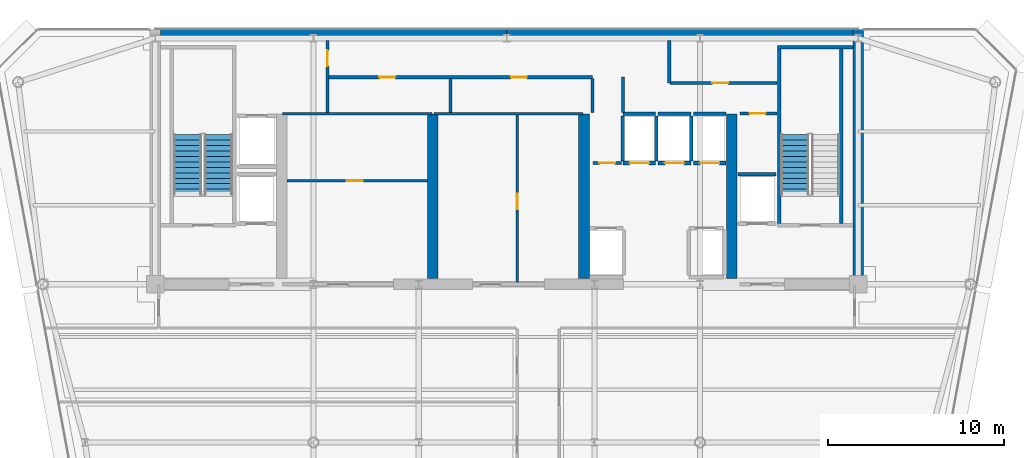
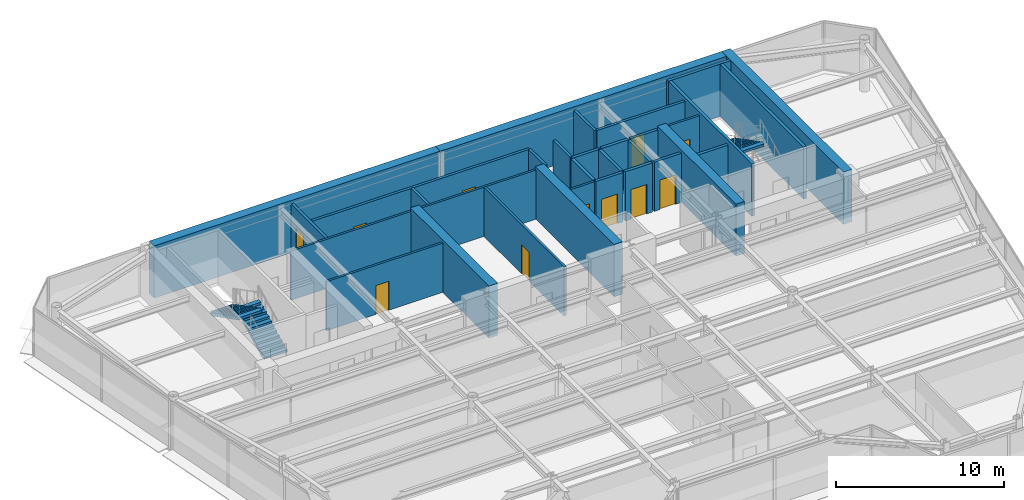
# One storey, part 12 of 17: 32 walls, 11 doors, 3 stair flights, 11 openings, 2 elements without a shape of their own.
"""IFC4 building model written with IfcOpenShell, lengths in metres."""

from ifc_helpers import new_model, si_unit, direction, frame, frame_2d, origin, place, context, subcontext, project, spatial, polyline, rectangle, outline, extrude, source, transform, mapped, material, layer, layer_set, type_object, element, fill, aggregate, save


model = new_model("IFC4")

# Units and contexts
model_context = context("Model", 3, precision=1e-05, world=origin(), true_north=direction((0.0, 1.0)))
body_context = subcontext(model_context, "Body", "Model", "MODEL_VIEW")
ifc_project = project(units=[si_unit("LENGTHUNIT", "METRE"), si_unit("AREAUNIT", "SQUARE_METRE"), si_unit("VOLUMEUNIT", "CUBIC_METRE"), si_unit("PLANEANGLEUNIT", "RADIAN"), si_unit("MASSUNIT", "GRAM", prefix="KILO")], contexts=[model_context])

# Site, building, storey
site_placement = place(None, origin())
site = spatial("IfcSite", under=ifc_project, at=site_placement, CompositionType="ELEMENT")
building_placement = place(site_placement, origin())
building = spatial("IfcBuilding", under=site, at=building_placement, Name="Vaeldorn Concourse Tower", CompositionType="ELEMENT")
storey_placement = place(building_placement, frame((0.0, 0.0, 230.800048828125)))
storey = spatial("IfcBuildingStorey", under=building, at=storey_placement, Name="L59", CompositionType="ELEMENT", Elevation=230.800048828125)

# Walls
ifc_material_1 = material(Name="Concrete C50/60", Category="concrete")
ifc_layer_1 = layer(ifc_material_1, 0.60009765625)
ifc_layer_set_1 = layer_set([ifc_layer_1], Name="Concrete C50/60")
wall_type_1 = type_object("IfcWallType", Name="WL-CORE-600", PredefinedType="SHEAR", material=ifc_layer_set_1)
for number, where, z_axis, x_axis, name in (
    (1, (14.303955078125, 50.699951171875, 0.0), (0.0, 0.0, 1.0), (1.0, 0.0, 0.0), "Rear Core Shear Wall L59 N1"),
    (2, (34.001953125, 50.699951171875, 0.0), (0.0, 0.0, 1.0), (1.0, 0.0, 0.0), "Rear Core Shear Wall L59 N2"),
):
    element("IfcWall", number, at=place(storey_placement, frame(where, z_axis=z_axis, x_axis=x_axis)), inside=storey, type_object=wall_type_1, Name=name, PredefinedType="SHEAR", context=body_context, shape_type="SweptSolid", body=[
        extrude(rectangle(XDim=19.694091796875, YDim=0.60009765625, at=frame_2d((9.84716796875, 0.0))), origin(), (0.0, 0.0, 1.0), 3.800048828125),
    ])
wall_1_placement = place(storey_placement, frame((54.0, 36.5, 0.0), z_axis=(0.0, 0.0, 1.0), x_axis=(0.0, 1.0, 0.0)))
element("IfcWall", 3, at=wall_1_placement, inside=storey, type_object=wall_type_1, Name="Rear Core Shear Wall L59 E1", PredefinedType="SHEAR", context=body_context, shape_type="SweptSolid", body=[
    extrude(rectangle(XDim=14.5, YDim=0.60009765625, at=frame_2d((7.25, 0.0))), origin(), (0.0, 0.0, 1.0), 3.800048828125),
])
for number, where, z_axis, x_axis, name in (
    (4, (29.800048828125, 36.820068359375, 0.0), (0.0, 0.0, 1.0), (0.0, 1.0, 0.0), "Rear Core Shear Wall L59 M2"),
    (5, (38.39990234375, 36.820068359375, 0.0), (0.0, 0.0, 1.0), (0.0, 1.0, 0.0), "Rear Core Shear Wall L59 M3"),
    (6, (46.800048828125, 36.820068359375, 0.0), (0.0, 0.0, 1.0), (0.0, 1.0, 0.0), "Rear Core Shear Wall L59 M4"),
):
    element("IfcWall", number, at=place(storey_placement, frame(where, z_axis=z_axis, x_axis=x_axis)), inside=storey, type_object=wall_type_1, Name=name, PredefinedType="SHEAR", context=body_context, shape_type="SweptSolid", body=[
        extrude(rectangle(XDim=9.3798828125, YDim=0.60009765625, at=frame_2d((4.68994140625, 0.0))), origin(), (0.0, 0.0, 1.0), 3.800048828125),
    ])
ifc_material_2 = material(Name="Gypsum Board Partition", Category="gypsum")
ifc_layer_2 = layer(ifc_material_2, 0.14990234375)
ifc_layer_set_2 = layer_set([ifc_layer_2], Name="Gypsum Board Partition")
wall_type_2 = type_object("IfcWallType", Name="WL-PART-150", PredefinedType="PARTITIONING", material=ifc_layer_set_2)
wall_2_placement = place(storey_placement, frame((21.25, 46.199951171875, 0.0), z_axis=(0.0, 0.0, 1.0), x_axis=(1.0, 0.0, 0.0)))
element("IfcWall", 7, at=wall_2_placement, inside=storey, type_object=wall_type_2, Name="Interior Wall CW-L59-R1N", PredefinedType="PARTITIONING", context=body_context, shape_type="SweptSolid", body=[
    extrude(rectangle(XDim=8.5, YDim=0.14990234375, at=frame_2d((4.25, 0.0))), origin(), (0.0, 0.0, 1.0), 3.579833984375),
])

# Wall, opening, door
wall_3_placement = place(storey_placement, frame((21.5, 42.39990234375, 0.0), z_axis=(0.0, 0.0, 1.0), x_axis=(1.0, 0.0, 0.0)))
wall_3 = element("IfcWall", 8, at=wall_3_placement, inside=storey, type_object=wall_type_2, Name="Interior Wall CW-L59-R1M", PredefinedType="PARTITIONING", context=body_context, shape_type="SweptSolid", body=[
    extrude(rectangle(XDim=8.0, YDim=0.14990234375, at=frame_2d((4.0, 0.0))), origin(), (0.0, 0.0, 1.0), 3.579833984375),
])
opening_1_placement = place(wall_3_placement, frame((3.39990234375, 0.0, 0.0)))
opening_1 = element("IfcOpeningElement", 9, at=opening_1_placement, cuts=wall_3, Name="Opening D-02", PredefinedType="OPENING", context=body_context, shape_type="SweptSolid", body=[
    extrude(rectangle(XDim=0.89990234375, YDim=2.10009765625, at=frame_2d((0.449951171875, 1.050048828125))), frame((0.0, 0.0849609375, 0.0), z_axis=(0.0, -1.0, 0.0), x_axis=(1.0, 0.0, 0.0)), (0.0, 0.0, 1.0), 0.169921875),
])
ifc_material_3 = material(Name="Fire-Rated Timber Leaf", Category="wood")
door_type_1 = type_object("IfcDoorType", Name="DR-FD30-900", OperationType="NOTDEFINED", PredefinedType="DOOR", material=ifc_material_3)
shared_shape_1 = source(origin(), body_context, "Body", "SweptSolid", [
    extrude(rectangle(XDim=0.89990234375, YDim=2.10009765625, at=frame_2d((0.449951171875, 1.050048828125))), frame((0.0, 0.02490234375, 0.0), z_axis=(0.0, -1.0, 0.0), x_axis=(1.0, 0.0, 0.0)), (0.0, 0.0, 1.0), 0.050048828125),
])
door_1_placement = place(opening_1_placement, origin())
door_1 = element("IfcDoor", 10, at=door_1_placement, inside=storey, type_object=door_type_1, Name="Interior Door DR-L59-R1M", OperationType="SINGLE_SWING_RIGHT", OverallHeight=2.10009765625, OverallWidth=0.89990234375, PredefinedType="DOOR", context=body_context, shape_type="MappedRepresentation", body=[
    mapped(shared_shape_1, transform((0.0, 0.0, 0.0), scale=1.0)),
])
fill(opening_1, door_1)

# Wall
wall_4_placement = place(storey_placement, frame((29.85009765625, 46.199951171875, 0.0), z_axis=(0.0, 0.0, 1.0), x_axis=(1.0, 0.0, 0.0)))
element("IfcWall", 11, at=wall_4_placement, inside=storey, type_object=wall_type_2, Name="Interior Wall CW-L59-R2N", PredefinedType="PARTITIONING", context=body_context, shape_type="SweptSolid", body=[
    extrude(rectangle(XDim=8.5, YDim=0.14990234375, at=frame_2d((4.25, 0.0))), origin(), (0.0, 0.0, 1.0), 3.579833984375),
])

# Wall, opening, door
wall_5_placement = place(storey_placement, frame((34.60009765625, 36.56005859375, 0.0), z_axis=(0.0, 0.0, 1.0), x_axis=(0.0, 1.0, 0.0)))
wall_5 = element("IfcWall", 12, at=wall_5_placement, inside=storey, type_object=wall_type_2, Name="Interior Wall CW-L59-R2M", PredefinedType="PARTITIONING", context=body_context, shape_type="SweptSolid", body=[
    extrude(rectangle(XDim=9.579833984375, YDim=0.14990234375, at=frame_2d((4.7900390625, 0.0))), origin(), (0.0, 0.0, 1.0), 3.579833984375),
])
opening_2_placement = place(wall_5_placement, frame((4.199951171875, 0.0, 0.0)))
opening_2 = element("IfcOpeningElement", 13, at=opening_2_placement, cuts=wall_5, Name="Opening D-02", PredefinedType="OPENING", context=body_context, shape_type="SweptSolid", body=[
    extrude(rectangle(XDim=0.89990234375, YDim=2.10009765625, at=frame_2d((0.449951171875, 1.050048828125))), frame((0.0, 0.0849609375, 0.0), z_axis=(0.0, -1.0, 0.0), x_axis=(1.0, 0.0, 0.0)), (0.0, 0.0, 1.0), 0.169921875),
])
door_2_placement = place(opening_2_placement, origin())
door_2 = element("IfcDoor", 14, at=door_2_placement, inside=storey, type_object=door_type_1, Name="Interior Door DR-L59-R2E", OperationType="SINGLE_SWING_RIGHT", OverallHeight=2.10009765625, OverallWidth=0.89990234375, PredefinedType="DOOR", context=body_context, shape_type="MappedRepresentation", body=[
    mapped(shared_shape_1, transform((0.0, 0.0, 0.0), scale=1.0)),
])
fill(opening_2, door_2)

wall_6_placement = place(storey_placement, frame((47.280029296875, 46.219970703125, 0.0), z_axis=(0.0, 0.0, 1.0), x_axis=(1.0, 0.0, 0.0)))
wall_6 = element("IfcWall", 15, at=wall_6_placement, inside=storey, type_object=wall_type_2, Name="Interior Wall CW-L59-CRSE-N", PredefinedType="PARTITIONING", context=body_context, shape_type="SweptSolid", body=[
    extrude(rectangle(XDim=2.099853515625, YDim=0.14990234375, at=frame_2d((1.0498046875, 0.0))), origin(), (0.0, 0.0, 1.0), 3.579833984375),
])
opening_3_placement = place(wall_6_placement, frame((0.550048828125, 0.0, 0.0)))
opening_3 = element("IfcOpeningElement", 16, at=opening_3_placement, cuts=wall_6, Name="Opening D-02", PredefinedType="OPENING", context=body_context, shape_type="SweptSolid", body=[
    extrude(rectangle(XDim=0.89990234375, YDim=2.10009765625, at=frame_2d((0.449951171875, 1.050048828125))), frame((0.0, 0.0849609375, 0.0), z_axis=(0.0, -1.0, 0.0), x_axis=(1.0, 0.0, 0.0)), (0.0, 0.0, 1.0), 0.169921875),
])
door_3_placement = place(opening_3_placement, origin())
door_3 = element("IfcDoor", 17, at=door_3_placement, inside=storey, type_object=door_type_1, Name="Interior Door DR-L59-CRSE", OperationType="SINGLE_SWING_RIGHT", OverallHeight=2.10009765625, OverallWidth=0.89990234375, PredefinedType="DOOR", context=body_context, shape_type="MappedRepresentation", body=[
    mapped(shared_shape_1, transform((0.0, 0.0, 0.0), scale=1.0)),
])
fill(opening_3, door_3)

wall_7_placement = place(storey_placement, frame((38.919921875, 43.39990234375, 0.0), z_axis=(0.0, 0.0, 1.0), x_axis=(1.0, 0.0, 0.0)))
wall_7 = element("IfcWall", 18, at=wall_7_placement, inside=storey, type_object=wall_type_2, Name="Interior Wall CW-L59-CCLINK", PredefinedType="PARTITIONING", context=body_context, shape_type="SweptSolid", body=[
    extrude(rectangle(XDim=1.60009765625, YDim=0.14990234375, at=frame_2d((0.800048828125, 0.0))), origin(), (0.0, 0.0, 1.0), 3.579833984375),
])
opening_4_placement = place(wall_7_placement, frame((0.35009765625, 0.0, 0.0)))
opening_4 = element("IfcOpeningElement", 19, at=opening_4_placement, cuts=wall_7, Name="Opening D-02", PredefinedType="OPENING", context=body_context, shape_type="SweptSolid", body=[
    extrude(rectangle(XDim=0.89990234375, YDim=2.10009765625, at=frame_2d((0.449951171875, 1.050048828125))), frame((0.0, 0.0849609375, 0.0), z_axis=(0.0, -1.0, 0.0), x_axis=(1.0, 0.0, 0.0)), (0.0, 0.0, 1.0), 0.169921875),
])
door_4_placement = place(opening_4_placement, origin())
door_4 = element("IfcDoor", 20, at=door_4_placement, inside=storey, type_object=door_type_1, Name="Interior Door DR-L59-CCLINK", OperationType="SINGLE_SWING_LEFT", OverallHeight=2.10009765625, OverallWidth=0.89990234375, PredefinedType="DOOR", context=body_context, shape_type="MappedRepresentation", body=[
    mapped(shared_shape_1, transform((0.0, 0.0, 0.0), scale=1.0)),
])
fill(opening_4, door_4)

# Wall, openings, doors
ifc_layer_3 = layer(ifc_material_2, 0.179931640625)
ifc_layer_set_3 = layer_set([ifc_layer_3], Name="Gypsum Board Partition")
wall_type_3 = type_object("IfcWallType", Name="WL-PLUMB-180", PredefinedType="PLUMBINGWALL", material=ifc_layer_set_3)
wall_8_placement = place(storey_placement, frame((23.85009765625, 48.280029296875, 0.0), z_axis=(0.0, 0.0, 1.0), x_axis=(1.0, 0.0, 0.0)))
wall_8 = element("IfcWall", 21, at=wall_8_placement, inside=storey, type_object=wall_type_3, Name="Interior Wall CW-L59-NS2W", PredefinedType="PLUMBINGWALL", context=body_context, shape_type="SweptSolid", body=[
    extrude(rectangle(XDim=15.02978515625, YDim=0.179931640625, at=frame_2d((7.514892578125, 0.0))), origin(), (0.0, 0.0, 1.0), 3.579833984375),
])
opening_5_placement = place(wall_8_placement, frame((2.89990234375, 0.0, 0.0)))
opening_5 = element("IfcOpeningElement", 22, at=opening_5_placement, cuts=wall_8, Name="Opening D-03", PredefinedType="OPENING", context=body_context, shape_type="SweptSolid", body=[
    extrude(rectangle(XDim=0.89990234375, YDim=2.14990234375, at=frame_2d((0.449951171875, 1.074951171875))), frame((0.0, 0.10009765625, 0.0), z_axis=(0.0, -1.0, 0.0), x_axis=(1.0, 0.0, 0.0)), (0.0, 0.0, 1.0), 0.199951171875),
])
opening_6_placement = place(wall_8_placement, frame((10.39990234375, 0.0, 0.0)))
opening_6 = element("IfcOpeningElement", 23, at=opening_6_placement, cuts=wall_8, Name="Opening D-03", PredefinedType="OPENING", context=body_context, shape_type="SweptSolid", body=[
    extrude(rectangle(XDim=0.89990234375, YDim=2.14990234375, at=frame_2d((0.449951171875, 1.074951171875))), frame((0.0, 0.10009765625, 0.0), z_axis=(0.0, -1.0, 0.0), x_axis=(1.0, 0.0, 0.0)), (0.0, 0.0, 1.0), 0.199951171875),
])
ifc_material_4 = material(Name="Acoustic Bronze-Framed Glass Door", Category="glass")
door_type_2 = type_object("IfcDoorType", Name="DR-INT-900", OperationType="NOTDEFINED", PredefinedType="DOOR", material=ifc_material_4)
shared_shape_2 = source(origin(), body_context, "Body", "SweptSolid", [
    extrude(rectangle(XDim=0.89990234375, YDim=2.14990234375, at=frame_2d((0.449951171875, 1.074951171875))), frame((0.0, 0.02490234375, 0.0), z_axis=(0.0, -1.0, 0.0), x_axis=(1.0, 0.0, 0.0)), (0.0, 0.0, 1.0), 0.050048828125),
])
door_5_placement = place(opening_5_placement, origin())
door_5 = element("IfcDoor", 24, at=door_5_placement, inside=storey, type_object=door_type_2, Name="Interior Door DR-L59-CS2", OperationType="SINGLE_SWING_RIGHT", OverallHeight=2.14990234375, OverallWidth=0.89990234375, PredefinedType="DOOR", context=body_context, shape_type="MappedRepresentation", body=[
    mapped(shared_shape_2, transform((0.0, 0.0, 0.0), scale=1.0)),
])
fill(opening_5, door_5)
door_6_placement = place(opening_6_placement, origin())
door_6 = element("IfcDoor", 25, at=door_6_placement, inside=storey, type_object=door_type_2, Name="Interior Door DR-L59-CS3", OperationType="SINGLE_SWING_LEFT", OverallHeight=2.14990234375, OverallWidth=0.89990234375, PredefinedType="DOOR", context=body_context, shape_type="MappedRepresentation", body=[
    mapped(shared_shape_2, transform((0.0, 0.0, 0.0), scale=1.0)),
])
fill(opening_6, door_6)

# Wall, opening, door
wall_9_placement = place(storey_placement, frame((23.800048828125, 46.280029296875, 0.0), z_axis=(0.0, 0.0, 1.0), x_axis=(0.0, 1.0, 0.0)))
wall_9 = element("IfcWall", 26, at=wall_9_placement, inside=storey, type_object=wall_type_3, Name="Interior Wall CW-L59-SDIV1", PredefinedType="PLUMBINGWALL", context=body_context, shape_type="SweptSolid", body=[
    extrude(rectangle(XDim=4.099853515625, YDim=0.179931640625, at=frame_2d((2.0498046875, 0.0))), origin(), (0.0, 0.0, 1.0), 3.579833984375),
])
opening_7_placement = place(wall_9_placement, frame((2.635009765625, 0.0, 0.0)))
opening_7 = element("IfcOpeningElement", 27, at=opening_7_placement, cuts=wall_9, Name="Opening D-03", PredefinedType="OPENING", context=body_context, shape_type="SweptSolid", body=[
    extrude(rectangle(XDim=0.89990234375, YDim=2.14990234375, at=frame_2d((0.449951171875, 1.074951171875))), frame((0.0, 0.10009765625, 0.0), z_axis=(0.0, -1.0, 0.0), x_axis=(1.0, 0.0, 0.0)), (0.0, 0.0, 1.0), 0.199951171875),
])
door_7_placement = place(opening_7_placement, origin())
door_7 = element("IfcDoor", 28, at=door_7_placement, inside=storey, type_object=door_type_2, Name="Interior Door DR-L59-CS1", OperationType="SINGLE_SWING_LEFT", OverallHeight=2.14990234375, OverallWidth=0.89990234375, PredefinedType="DOOR", context=body_context, shape_type="MappedRepresentation", body=[
    mapped(shared_shape_2, transform((0.0, 0.0, 0.0), scale=1.0)),
])
fill(opening_7, door_7)

# Walls
for number, where, z_axis, x_axis, name in (
    (29, (30.800048828125, 46.280029296875, 0.0), (0.0, 0.0, 1.0), (0.0, 1.0, 0.0), "Interior Wall CW-L59-SDIV2"),
    (30, (38.8798828125, 46.280029296875, 0.0), (0.0, 0.0, 1.0), (0.0, 1.0, 0.0), "Interior Wall CW-L59-SDIV4"),
):
    element("IfcWall", number, at=place(storey_placement, frame(where, z_axis=z_axis, x_axis=x_axis)), inside=storey, type_object=wall_type_3, Name=name, PredefinedType="PLUMBINGWALL", context=body_context, shape_type="SweptSolid", body=[
        extrude(rectangle(XDim=1.93994140625, YDim=0.179931640625, at=frame_2d((0.969970703125, 0.0))), origin(), (0.0, 0.0, 1.0), 3.579833984375),
    ])
wall_10_placement = place(storey_placement, frame((40.6201171875, 46.280029296875, 0.0), z_axis=(0.0, 0.0, 1.0), x_axis=(0.0, 1.0, 0.0)))
element("IfcWall", 31, at=wall_10_placement, inside=storey, type_object=wall_type_3, Name="Interior Wall CW-L59-SDIV5", PredefinedType="PLUMBINGWALL", context=body_context, shape_type="SweptSolid", body=[
    extrude(rectangle(XDim=2.0, YDim=0.179931640625, at=frame_2d((1.0, 0.0))), origin(), (0.0, 0.0, 1.0), 3.579833984375),
])
wall_11_placement = place(storey_placement, frame((43.25, 47.949951171875, 0.0), z_axis=(0.0, 0.0, 1.0), x_axis=(0.0, 1.0, 0.0)))
element("IfcWall", 32, at=wall_11_placement, inside=storey, type_object=wall_type_3, Name="Interior Wall CW-L59-SDIV6", PredefinedType="PLUMBINGWALL", context=body_context, shape_type="SweptSolid", body=[
    extrude(rectangle(XDim=2.429931640625, YDim=0.179931640625, at=frame_2d((1.21484375, 0.0))), origin(), (0.0, 0.0, 1.0), 3.579833984375),
])

# Wall, opening, door
wall_12_placement = place(storey_placement, frame((43.300048828125, 47.949951171875, 0.0), z_axis=(0.0, 0.0, 1.0), x_axis=(1.0, 0.0, 0.0)))
wall_12 = element("IfcWall", 33, at=wall_12_placement, inside=storey, type_object=wall_type_3, Name="Interior Wall CW-L59-NS2EE", PredefinedType="PLUMBINGWALL", context=body_context, shape_type="SweptSolid", body=[
    extrude(rectangle(XDim=6.079833984375, YDim=0.179931640625, at=frame_2d((3.0400390625, 0.0))), origin(), (0.0, 0.0, 1.0), 3.579833984375),
])
opening_8_placement = place(wall_12_placement, frame((2.39990234375, 0.0, 0.0)))
opening_8 = element("IfcOpeningElement", 34, at=opening_8_placement, cuts=wall_12, Name="Opening D-03", PredefinedType="OPENING", context=body_context, shape_type="SweptSolid", body=[
    extrude(rectangle(XDim=0.89990234375, YDim=2.14990234375, at=frame_2d((0.449951171875, 1.074951171875))), frame((0.0, 0.10009765625, 0.0), z_axis=(0.0, -1.0, 0.0), x_axis=(1.0, 0.0, 0.0)), (0.0, 0.0, 1.0), 0.199951171875),
])
door_8_placement = place(opening_8_placement, origin())
door_8 = element("IfcDoor", 35, at=door_8_placement, inside=storey, type_object=door_type_2, Name="Interior Door DR-L59-CS5", OperationType="SINGLE_SWING_RIGHT", OverallHeight=2.14990234375, OverallWidth=0.89990234375, PredefinedType="DOOR", context=body_context, shape_type="MappedRepresentation", body=[
    mapped(shared_shape_2, transform((0.0, 0.0, 0.0), scale=1.0)),
])
fill(opening_8, door_8)

# Walls
ifc_layer_4 = layer(ifc_material_1, 0.199951171875)
ifc_layer_set_4 = layer_set([ifc_layer_4], Name="Concrete C50/60")
wall_type_4 = type_object("IfcWallType", Name="WL-SHAFT-200", PredefinedType="SOLIDWALL", material=ifc_layer_set_4)
wall_13_placement = place(storey_placement, frame((49.39990234375, 50.0, 0.0), z_axis=(0.0, 0.0, 1.0), x_axis=(1.0, 0.0, 0.0)))
element("IfcWall", 36, at=wall_13_placement, inside=storey, type_object=wall_type_4, Name="Stair Shaft Wall CW-L59-ST-2-N", PredefinedType="SOLIDWALL", context=body_context, shape_type="SweptSolid", body=[
    extrude(rectangle(XDim=4.300048828125, YDim=0.199951171875, at=frame_2d((2.14990234375, 0.0))), origin(), (0.0, 0.0, 1.0), 3.800048828125),
])
for number, where, z_axis, x_axis, name in (
    (37, (49.5, 39.9599609375, 0.0), (0.0, 0.0, 1.0), (0.0, 1.0, 0.0), "Stair Shaft Wall CW-L59-ST-2-W"),
    (38, (53.050048828125, 39.9599609375, 0.0), (0.0, 0.0, 1.0), (0.0, 1.0, 0.0), "Stair Shaft Wall CW-L59-ST-2-E"),
):
    element("IfcWall", number, at=place(storey_placement, frame(where, z_axis=z_axis, x_axis=x_axis)), inside=storey, type_object=wall_type_4, Name=name, PredefinedType="SOLIDWALL", context=body_context, shape_type="SweptSolid", body=[
        extrude(rectangle(XDim=9.929931640625, YDim=0.199951171875, at=frame_2d((4.96484375, 0.0))), origin(), (0.0, 0.0, 1.0), 3.800048828125),
    ])

# Wall, opening, door
wall_14_placement = place(storey_placement, frame((40.6201171875, 43.39990234375, 0.0), z_axis=(0.0, 0.0, 1.0), x_axis=(1.0, 0.0, 0.0)))
wall_14 = element("IfcWall", 39, at=wall_14_placement, inside=storey, type_object=wall_type_4, Name="Interior Wall CW-L59-LF-LF-15", PredefinedType="SOLIDWALL", context=body_context, shape_type="SweptSolid", body=[
    extrude(rectangle(XDim=1.85986328125, YDim=0.199951171875, at=frame_2d((0.929931640625, 0.0))), origin(), (0.0, 0.0, 1.0), 3.579833984375),
])
opening_9_placement = place(wall_14_placement, frame((0.3798828125, 0.0, 0.0)))
opening_9 = element("IfcOpeningElement", 40, at=opening_9_placement, cuts=wall_14, Name="Opening LD-1", PredefinedType="OPENING", context=body_context, shape_type="SweptSolid", body=[
    extrude(rectangle(XDim=1.10009765625, YDim=2.14990234375, at=frame_2d((0.550048828125, 1.074951171875))), frame((0.0, 0.10986328125, 0.0), z_axis=(0.0, -1.0, 0.0), x_axis=(1.0, 0.0, 0.0)), (0.0, 0.0, 1.0), 0.219970703125),
])
ifc_material_5 = material(Name="Anodised Bronze Aluminium", Category="aluminium")
door_type_3 = type_object("IfcDoorType", Name="DR-LIFT-SLIDE-1100", OperationType="DOUBLE_DOOR_SLIDING", PredefinedType="DOOR", material=ifc_material_5)
shared_shape_3 = source(origin(), body_context, "Body", "SweptSolid", [
    extrude(rectangle(XDim=1.10009765625, YDim=2.14990234375, at=frame_2d((0.550048828125, 1.074951171875))), frame((0.0, 0.02490234375, 0.0), z_axis=(0.0, -1.0, 0.0), x_axis=(1.0, 0.0, 0.0)), (0.0, 0.0, 1.0), 0.050048828125),
])
door_9_placement = place(opening_9_placement, origin())
door_9 = element("IfcDoor", 41, at=door_9_placement, inside=storey, type_object=door_type_3, Name="Lift Landing Door LD-L59-LF-15", OperationType="DOUBLE_DOOR_SLIDING", OverallHeight=2.14990234375, OverallWidth=1.10009765625, PredefinedType="DOOR", context=body_context, shape_type="MappedRepresentation", body=[
    mapped(shared_shape_3, transform((0.0, 0.0, 0.0), scale=1.0)),
])
fill(opening_9, door_9)

# Walls
wall_15_placement = place(storey_placement, frame((40.6201171875, 46.199951171875, 0.0), z_axis=(0.0, 0.0, 1.0), x_axis=(1.0, 0.0, 0.0)))
element("IfcWall", 42, at=wall_15_placement, inside=storey, type_object=wall_type_4, Name="Interior Wall CW-L59-LFB-LF-15", PredefinedType="SOLIDWALL", context=body_context, shape_type="SweptSolid", body=[
    extrude(rectangle(XDim=1.85986328125, YDim=0.199951171875, at=frame_2d((0.929931640625, 0.0))), origin(), (0.0, 0.0, 1.0), 3.579833984375),
])
for number, where, z_axis, x_axis, name in (
    (43, (40.60009765625, 43.52001953125, 0.0), (0.0, 0.0, 1.0), (0.0, 1.0, 0.0), "Interior Wall CW-L59-LFW-LF-15"),
    (44, (42.5, 43.52001953125, 0.0), (0.0, 0.0, 1.0), (0.0, 1.0, 0.0), "Interior Wall CW-L59-LFE-LF-15"),
):
    element("IfcWall", number, at=place(storey_placement, frame(where, z_axis=z_axis, x_axis=x_axis)), inside=storey, type_object=wall_type_4, Name=name, PredefinedType="SOLIDWALL", context=body_context, shape_type="SweptSolid", body=[
        extrude(rectangle(XDim=2.56005859375, YDim=0.199951171875, at=frame_2d((1.280029296875, 0.0))), origin(), (0.0, 0.0, 1.0), 3.579833984375),
    ])

# Wall, opening, door
wall_16_placement = place(storey_placement, frame((42.6201171875, 43.39990234375, 0.0), z_axis=(0.0, 0.0, 1.0), x_axis=(1.0, 0.0, 0.0)))
wall_16 = element("IfcWall", 45, at=wall_16_placement, inside=storey, type_object=wall_type_4, Name="Interior Wall CW-L59-LF-LF-16", PredefinedType="SOLIDWALL", context=body_context, shape_type="SweptSolid", body=[
    extrude(rectangle(XDim=1.85986328125, YDim=0.199951171875, at=frame_2d((0.929931640625, 0.0))), origin(), (0.0, 0.0, 1.0), 3.579833984375),
])
opening_10_placement = place(wall_16_placement, frame((0.3798828125, 0.0, 0.0)))
opening_10 = element("IfcOpeningElement", 46, at=opening_10_placement, cuts=wall_16, Name="Opening LD-1", PredefinedType="OPENING", context=body_context, shape_type="SweptSolid", body=[
    extrude(rectangle(XDim=1.10009765625, YDim=2.14990234375, at=frame_2d((0.550048828125, 1.074951171875))), frame((0.0, 0.10986328125, 0.0), z_axis=(0.0, -1.0, 0.0), x_axis=(1.0, 0.0, 0.0)), (0.0, 0.0, 1.0), 0.219970703125),
])
door_10_placement = place(opening_10_placement, origin())
door_10 = element("IfcDoor", 47, at=door_10_placement, inside=storey, type_object=door_type_3, Name="Lift Landing Door LD-L59-LF-16", OperationType="DOUBLE_DOOR_SLIDING", OverallHeight=2.14990234375, OverallWidth=1.10009765625, PredefinedType="DOOR", context=body_context, shape_type="MappedRepresentation", body=[
    mapped(shared_shape_3, transform((0.0, 0.0, 0.0), scale=1.0)),
])
fill(opening_10, door_10)

# Walls
wall_17_placement = place(storey_placement, frame((42.6201171875, 46.199951171875, 0.0), z_axis=(0.0, 0.0, 1.0), x_axis=(1.0, 0.0, 0.0)))
element("IfcWall", 48, at=wall_17_placement, inside=storey, type_object=wall_type_4, Name="Interior Wall CW-L59-LFB-LF-16", PredefinedType="SOLIDWALL", context=body_context, shape_type="SweptSolid", body=[
    extrude(rectangle(XDim=1.85986328125, YDim=0.199951171875, at=frame_2d((0.929931640625, 0.0))), origin(), (0.0, 0.0, 1.0), 3.579833984375),
])
wall_18_placement = place(storey_placement, frame((44.5, 43.52001953125, 0.0), z_axis=(0.0, 0.0, 1.0), x_axis=(0.0, 1.0, 0.0)))
element("IfcWall", 49, at=wall_18_placement, inside=storey, type_object=wall_type_4, Name="Interior Wall CW-L59-LFE-LF-16", PredefinedType="SOLIDWALL", context=body_context, shape_type="SweptSolid", body=[
    extrude(rectangle(XDim=2.56005859375, YDim=0.199951171875, at=frame_2d((1.280029296875, 0.0))), origin(), (0.0, 0.0, 1.0), 3.579833984375),
])

# Wall, opening, door
wall_19_placement = place(storey_placement, frame((44.6201171875, 43.39990234375, 0.0), z_axis=(0.0, 0.0, 1.0), x_axis=(1.0, 0.0, 0.0)))
wall_19 = element("IfcWall", 50, at=wall_19_placement, inside=storey, type_object=wall_type_4, Name="Interior Wall CW-L59-LF-LF-17", PredefinedType="SOLIDWALL", context=body_context, shape_type="SweptSolid", body=[
    extrude(rectangle(XDim=1.85986328125, YDim=0.199951171875, at=frame_2d((0.929931640625, 0.0))), origin(), (0.0, 0.0, 1.0), 3.579833984375),
])
opening_11_placement = place(wall_19_placement, frame((0.3798828125, 0.0, 0.0)))
opening_11 = element("IfcOpeningElement", 51, at=opening_11_placement, cuts=wall_19, Name="Opening LD-1", PredefinedType="OPENING", context=body_context, shape_type="SweptSolid", body=[
    extrude(rectangle(XDim=1.10009765625, YDim=2.14990234375, at=frame_2d((0.550048828125, 1.074951171875))), frame((0.0, 0.10986328125, 0.0), z_axis=(0.0, -1.0, 0.0), x_axis=(1.0, 0.0, 0.0)), (0.0, 0.0, 1.0), 0.219970703125),
])
door_11_placement = place(opening_11_placement, origin())
door_11 = element("IfcDoor", 52, at=door_11_placement, inside=storey, type_object=door_type_3, Name="Lift Landing Door LD-L59-LF-17", OperationType="DOUBLE_DOOR_SLIDING", OverallHeight=2.14990234375, OverallWidth=1.10009765625, PredefinedType="DOOR", context=body_context, shape_type="MappedRepresentation", body=[
    mapped(shared_shape_3, transform((0.0, 0.0, 0.0), scale=1.0)),
])
fill(opening_11, door_11)

# Walls
wall_20_placement = place(storey_placement, frame((44.6201171875, 46.199951171875, 0.0), z_axis=(0.0, 0.0, 1.0), x_axis=(1.0, 0.0, 0.0)))
element("IfcWall", 53, at=wall_20_placement, inside=storey, type_object=wall_type_4, Name="Interior Wall CW-L59-LFB-LF-17", PredefinedType="SOLIDWALL", context=body_context, shape_type="SweptSolid", body=[
    extrude(rectangle(XDim=1.85986328125, YDim=0.199951171875, at=frame_2d((0.929931640625, 0.0))), origin(), (0.0, 0.0, 1.0), 3.579833984375),
])
wall_21_placement = place(storey_placement, frame((47.169921875, 42.75, 0.0), z_axis=(0.0, 0.0, 1.0), x_axis=(1.0, 0.0, 0.0)))
element("IfcWall", 54, at=wall_21_placement, inside=storey, type_object=wall_type_4, Name="Interior Wall CW-L59-LFB-LF-FF2", PredefinedType="SOLIDWALL", context=body_context, shape_type="SweptSolid", body=[
    extrude(rectangle(XDim=2.16015625, YDim=0.199951171875, at=frame_2d((1.080078125, 0.0))), origin(), (0.0, 0.0, 1.0), 3.579833984375),
])

# Stair, stair flights
ifc_material_6 = material(Name="Precast concrete C40/50", Category="concrete")
stair_type = type_object("IfcStairType", Name="STR-DOG-24x158", PredefinedType="HALF_TURN_STAIR", material=ifc_material_6)
stair_1_placement = place(storey_placement, origin())
stair_1 = element("IfcStair", 55, at=stair_1_placement, inside=storey, type_object=stair_type, Name="L59 West Core Exit Stair ST-1", PredefinedType="HALF_TURN_STAIR")
stair_flight_type = type_object("IfcStairFlightType", Name="STF-STR-12x158", PredefinedType="STRAIGHT", material=ifc_material_6)
stair_flight_1_placement = place(storey_placement, frame((17.60009765625, 41.60009765625, 0.0), z_axis=(0.0, 0.0, 1.0), x_axis=(0.0, 1.0, 0.0)))
stair_flight_1 = element("IfcStairFlight", 56, at=stair_flight_1_placement, type_object=stair_flight_type, Name="ST-1 flight 1", NumberOfRisers=12, NumberOfTreads=11, PredefinedType="STRAIGHT", RiserHeight=0.158333333, TreadLength=0.31, context=body_context, shape_type="SweptSolid", body=[
    extrude(outline(polyline([(0.0, 0.0), (0.0, 0.158447265625), (0.31005859375, 0.158447265625), (0.31005859375, 0.316650390625), (0.6201171875, 0.316650390625), (0.6201171875, 0.47509765625), (0.929931640625, 0.47509765625), (0.929931640625, 0.63330078125), (1.239990234375, 0.63330078125), (1.239990234375, 0.791748046875), (1.550048828125, 0.791748046875), (1.550048828125, 0.949951171875), (1.860107421875, 0.949951171875), (1.860107421875, 1.1083984375), (2.169921875, 1.1083984375), (2.169921875, 1.2666015625), (2.47998046875, 1.2666015625), (2.47998046875, 1.425048828125), (2.7900390625, 1.425048828125), (2.7900390625, 1.583251953125), (3.10009765625, 1.583251953125), (3.10009765625, 1.74169921875), (3.409912109375, 1.74169921875), (3.409912109375, 1.89990234375), (3.409912109375, 1.5732421875), (0.32958984375, 0.0), (0.0, 0.0)])), frame((0.0, 0.800048828125, 0.0), z_axis=(0.0, -1.0, 0.0), x_axis=(1.0, 0.0, 0.0)), (0.0, 0.0, 1.0), 1.60009765625),
])
stair_flight_2_placement = place(storey_placement, frame((15.85009765625, 45.010009765625, 1.89990234375), z_axis=(0.0, 0.0, 1.0), x_axis=(0.0, -1.0, 0.0)))
stair_flight_2 = element("IfcStairFlight", 57, at=stair_flight_2_placement, type_object=stair_flight_type, Name="ST-1 flight 2", NumberOfRisers=12, NumberOfTreads=11, PredefinedType="STRAIGHT", RiserHeight=0.158333333, TreadLength=0.31, context=body_context, shape_type="SweptSolid", body=[
    extrude(outline(polyline([(0.0, 0.0), (0.0, 0.158447265625), (0.31005859375, 0.158447265625), (0.31005859375, 0.316650390625), (0.6201171875, 0.316650390625), (0.6201171875, 0.47509765625), (0.929931640625, 0.47509765625), (0.929931640625, 0.63330078125), (1.239990234375, 0.63330078125), (1.239990234375, 0.791748046875), (1.550048828125, 0.791748046875), (1.550048828125, 0.949951171875), (1.860107421875, 0.949951171875), (1.860107421875, 1.1083984375), (2.169921875, 1.1083984375), (2.169921875, 1.2666015625), (2.47998046875, 1.2666015625), (2.47998046875, 1.425048828125), (2.7900390625, 1.425048828125), (2.7900390625, 1.583251953125), (3.10009765625, 1.583251953125), (3.10009765625, 1.74169921875), (3.409912109375, 1.74169921875), (3.409912109375, 1.89990234375), (3.409912109375, 1.5732421875), (0.32958984375, 0.0), (0.0, 0.0)])), frame((0.0, 0.800048828125, 0.0), z_axis=(0.0, -1.0, 0.0), x_axis=(1.0, 0.0, 0.0)), (0.0, 0.0, 1.0), 1.60009765625),
])
aggregate(stair_1, [stair_flight_1, stair_flight_2])

# Stair, stair flight
stair_2_placement = place(storey_placement, origin())
stair_2 = element("IfcStair", 58, at=stair_2_placement, inside=storey, type_object=stair_type, Name="L59 East Core Exit Stair ST-2", PredefinedType="HALF_TURN_STAIR")
stair_flight_3_placement = place(storey_placement, frame((50.39990234375, 45.010009765625, 1.89990234375), z_axis=(0.0, 0.0, 1.0), x_axis=(0.0, -1.0, 0.0)))
stair_flight_3 = element("IfcStairFlight", 59, at=stair_flight_3_placement, type_object=stair_flight_type, Name="ST-2 flight 2", NumberOfRisers=12, NumberOfTreads=11, PredefinedType="STRAIGHT", RiserHeight=0.158333333, TreadLength=0.31, context=body_context, shape_type="SweptSolid", body=[
    extrude(outline(polyline([(0.0, 0.0), (0.0, 0.158447265625), (0.31005859375, 0.158447265625), (0.31005859375, 0.316650390625), (0.6201171875, 0.316650390625), (0.6201171875, 0.47509765625), (0.929931640625, 0.47509765625), (0.929931640625, 0.63330078125), (1.239990234375, 0.63330078125), (1.239990234375, 0.791748046875), (1.550048828125, 0.791748046875), (1.550048828125, 0.949951171875), (1.860107421875, 0.949951171875), (1.860107421875, 1.1083984375), (2.169921875, 1.1083984375), (2.169921875, 1.2666015625), (2.47998046875, 1.2666015625), (2.47998046875, 1.425048828125), (2.7900390625, 1.425048828125), (2.7900390625, 1.583251953125), (3.10009765625, 1.583251953125), (3.10009765625, 1.74169921875), (3.409912109375, 1.74169921875), (3.409912109375, 1.89990234375), (3.409912109375, 1.5732421875), (0.32958984375, 0.0), (0.0, 0.0)])), frame((0.0, 0.800048828125, 0.0), z_axis=(0.0, -1.0, 0.0), x_axis=(1.0, 0.0, 0.0)), (0.0, 0.0, 1.0), 1.60009765625),
])
aggregate(stair_2, [stair_flight_3])

save(model, "model.ifc")
